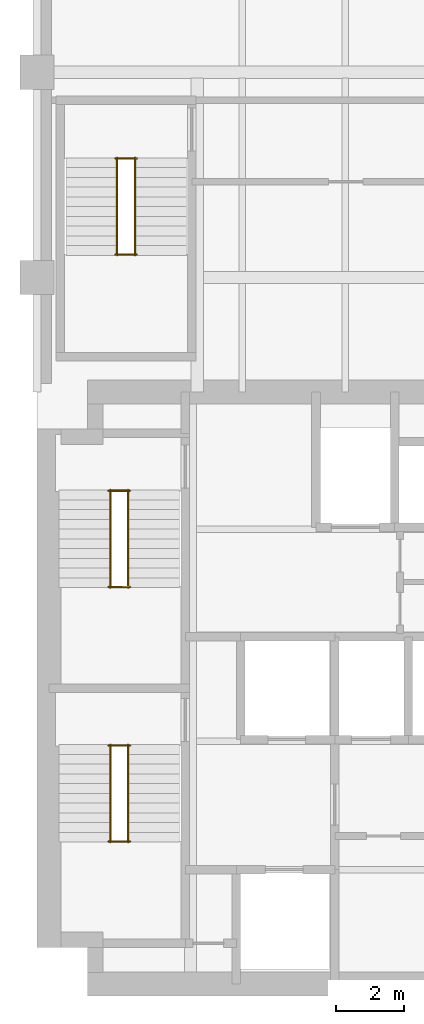
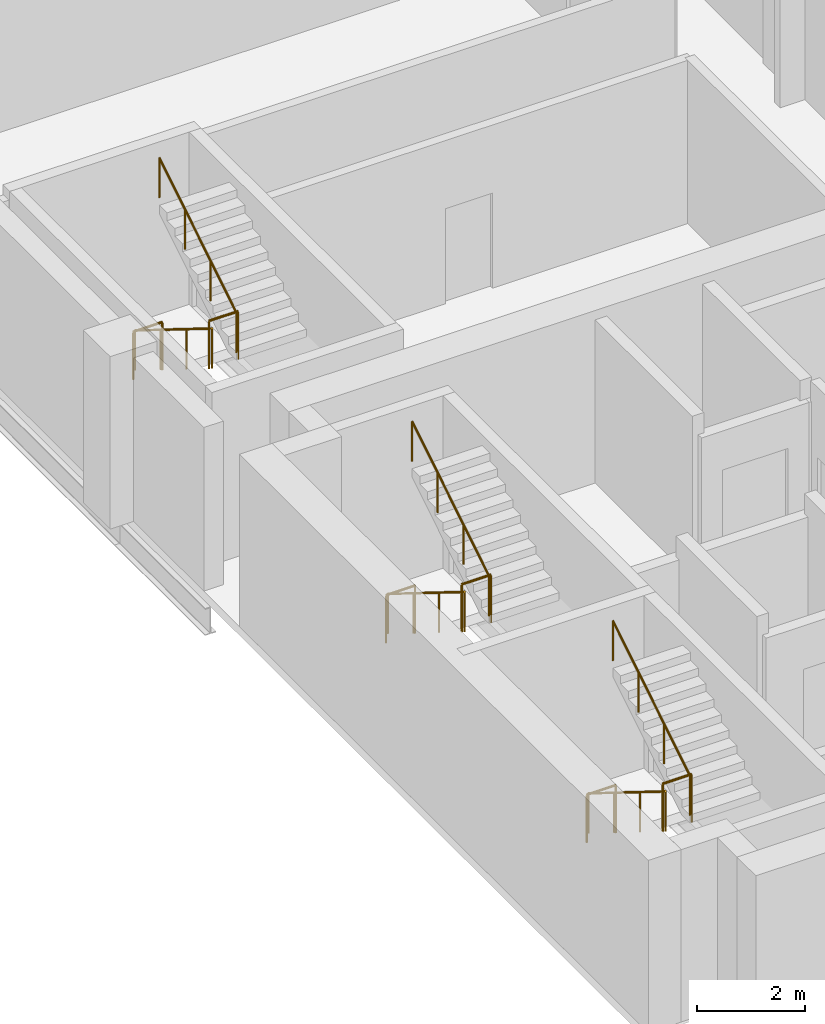
# One storey, part 7 of 7: 12 railings.
"""IFC4 building model written with IfcOpenShell, lengths in metres."""

import ifcopenshell
import ifcopenshell.guid

model = None  # the IFC model being written
_history = None  # IfcOwnerHistory: only IFC2X3 demands one
_inside = {}  # id of a spatial element -> (the spatial element, [elements in it])
_under = {}  # id of a project, library or spatial element -> (it, [spatial elements below it])
_declared = {}  # id of a project -> (the project, [libraries it declares])
_typed = {}  # id of a type object -> (the type object, [elements of that type])
_made_of = {}  # id of a material, layer set ... -> (it, [elements and type objects made of it])


def new_model(schema):
    """Start an empty IFC model of exactly this schema.

    Asked for "IFC4X3", IfcOpenShell would pick the latest addendum, in which some entities
    have other attributes; the version numbers below select the first issue.
    IFC2X3 requires an IfcOwnerHistory on every rooted entity: one is made here for all.
    """
    global model, _history
    if schema == "IFC4X3":
        model = ifcopenshell.file(schema_version=(4, 3, 0, 0))
    else:
        model = ifcopenshell.file(schema=schema)
    _inside.clear()
    _under.clear()
    _declared.clear()
    _typed.clear()
    _made_of.clear()
    _history = None
    if model.schema == "IFC2X3":
        org = make("IfcOrganization", Name="unknown")
        user = make(
            "IfcPersonAndOrganization",
            ThePerson=make("IfcPerson", FamilyName="unknown"),
            TheOrganization=org,
        )
        app = make(
            "IfcApplication",
            ApplicationDeveloper=org,
            Version="unknown",
            ApplicationFullName="unknown",
            ApplicationIdentifier="unknown",
        )
        _history = make(
            "IfcOwnerHistory",
            OwningUser=user,
            OwningApplication=app,
            ChangeAction="ADDED",
            CreationDate=0,
        )
    return model


def make(cls, **values):
    """One entity of the class cls with the attributes given. An attribute that is None is left unset."""
    return model.create_entity(
        cls, **{name: value for name, value in values.items() if value is not None}
    )


def rooted(cls, **values):
    """An entity with a GlobalId (a new one), such as an element, a storey or a relation."""
    return make(cls, GlobalId=ifcopenshell.guid.new(), OwnerHistory=_history, **values)


def si_unit(unit_type, name, prefix=None):
    """IfcSIUnit, for example si_unit("LENGTHUNIT", "METRE", prefix="MILLI")."""
    return make("IfcSIUnit", UnitType=unit_type, Prefix=prefix, Name=name)


def assignment(units):
    """IfcUnitAssignment: the units of a project."""
    return None if units is None else make("IfcUnitAssignment", Units=units)


def point(xyz):
    """IfcCartesianPoint."""
    return None if xyz is None else make("IfcCartesianPoint", Coordinates=xyz)


def direction(xyz):
    """IfcDirection."""
    return None if xyz is None else make("IfcDirection", DirectionRatios=xyz)


def frame(location, z_axis=None, x_axis=None):
    """IfcAxis2Placement3D, a coordinate frame: its origin and axes. An axis left out is left unset."""
    return make(
        "IfcAxis2Placement3D",
        Location=point(location),
        Axis=direction(z_axis),
        RefDirection=direction(x_axis),
    )


def frame_2d(location, x_axis=None):
    """IfcAxis2Placement2D, a coordinate frame in the plane: its origin and x axis."""
    return make(
        "IfcAxis2Placement2D", Location=point(location), RefDirection=direction(x_axis)
    )


def origin():
    """The frame at (0, 0, 0) with its axes left unset."""
    return frame((0.0, 0.0, 0.0))


def origin_2d():
    """The frame at (0, 0) in the plane with its x axis left unset."""
    return frame_2d((0.0, 0.0))


def place(relative_to, where):
    """IfcLocalPlacement: puts the frame where relative to a parent placement (None: the world)."""
    return make(
        "IfcLocalPlacement", PlacementRelTo=relative_to, RelativePlacement=where
    )


def context(
    kind, dimensions, precision=None, world=None, true_north=None, identifier=None
):
    """IfcGeometricRepresentationContext, for example the 3D "Model" context."""
    return make(
        "IfcGeometricRepresentationContext",
        ContextIdentifier=identifier,
        ContextType=kind,
        CoordinateSpaceDimension=dimensions,
        Precision=precision,
        WorldCoordinateSystem=world,
        TrueNorth=true_north,
    )


def subcontext(parent, identifier, kind, view, scale=None):
    """IfcGeometricRepresentationSubContext, for example "Body" below "Model"."""
    return make(
        "IfcGeometricRepresentationSubContext",
        ContextIdentifier=identifier,
        ContextType=kind,
        ParentContext=parent,
        TargetScale=scale,
        TargetView=view,
    )


def project(units=None, contexts=None):
    """IfcProject with its units and contexts."""
    return rooted(
        "IfcProject",
        Name="project",
        RepresentationContexts=contexts,
        UnitsInContext=assignment(units),
    )


def spatial(cls, under=None, at=None, **own):
    """A site, building, storey or space (cls), placed at a placement, below another one or the project."""
    s = rooted(cls, ObjectPlacement=at, **own)
    if under is not None:
        _under.setdefault(under.id(), (under, []))[1].append(s)
    return s


def profile(cls, at=None, kind="AREA", **sizes):
    """A parametric profile (cls). Its sizes go by their IFC names, for example OverallWidth=200.0."""
    return make(cls, ProfileType=kind, Position=at, **sizes)


def circle(**sizes):
    """IfcCircleProfileDef."""
    return profile("IfcCircleProfileDef", **sizes)


def extrude(swept, where, along, depth):
    """IfcExtrudedAreaSolid: the profile swept, set in the frame where, extruded along a direction by depth."""
    return make(
        "IfcExtrudedAreaSolid",
        SweptArea=swept,
        Position=where,
        ExtrudedDirection=direction(along),
        Depth=depth,
    )


def shape(context_of_items, identifier, shape_type, items):
    """IfcShapeRepresentation: the items that make up one representation, for example the "Body"."""
    return make(
        "IfcShapeRepresentation",
        ContextOfItems=context_of_items,
        RepresentationIdentifier=identifier,
        RepresentationType=shape_type,
        Items=items,
    )


def material(Name=None, Category=None):
    """IfcMaterial."""
    return make("IfcMaterial", Name=Name, Category=Category)


def made_of(thing, what):
    """Note that an element or type object is made of a material, layer set ...; save() writes the relation."""
    if what is not None:
        _made_of.setdefault(what.id(), (what, []))[1].append(thing)
    return thing


def type_object(cls, material=None, **own):
    """A type object (cls), such as IfcWallType, which elements share."""
    return made_of(rooted(cls, **own), material)


def element(
    cls,
    number,
    at=None,
    inside=None,
    cuts=None,
    type_object=None,
    material=None,
    context=None,
    identifier="Body",
    shape_type=None,
    held_by="IfcProductDefinitionShape",
    body=None,
    shapes=None,
    **own,
):
    """One element of the class cls, such as IfcWall. Its Tag is "e" and its number.

    at: its placement. inside: the storey or other place that contains it. cuts: it is an
    opening in that element (IfcRelVoidsElement). A single representation is given by context,
    identifier, shape_type and body (its items); several are given by shapes. held_by: the class
    of the entity that holds the representations. save() writes the other relations.
    """
    e = rooted(cls, Tag="e%d" % number, ObjectPlacement=at, **own)
    if body is not None:
        shapes = [shape(context, identifier, shape_type, body)]
    if shapes is not None:
        e.Representation = make(held_by, Representations=shapes)
    if inside is not None:
        _inside.setdefault(inside.id(), (inside, []))[1].append(e)
    if cuts is not None:
        rooted(
            "IfcRelVoidsElement", RelatingBuildingElement=cuts, RelatedOpeningElement=e
        )
    if type_object is not None:
        _typed.setdefault(type_object.id(), (type_object, []))[1].append(e)
    return made_of(e, material)


def aggregate(whole, parts):
    """IfcRelAggregates: a whole, such as a stair, and the parts it consists of."""
    return rooted("IfcRelAggregates", RelatingObject=whole, RelatedObjects=parts)


def save(model, path):
    """Write the relations noted so far, then the file.

    IfcRelAggregates (storeys below a building ...), IfcRelContainedInSpatialStructure (elements
    in a storey), IfcRelDefinesByType, IfcRelAssociatesMaterial and IfcRelDeclares: one each for
    every whole, place, type object, material and project.
    """
    for whole, parts in _under.values():
        aggregate(whole, parts)
    for where, things in _inside.values():
        rooted(
            "IfcRelContainedInSpatialStructure",
            RelatedElements=things,
            RelatingStructure=where,
        )
    for kind, things in _typed.values():
        rooted("IfcRelDefinesByType", RelatedObjects=things, RelatingType=kind)
    for what, things in _made_of.values():
        rooted("IfcRelAssociatesMaterial", RelatedObjects=things, RelatingMaterial=what)
    for by, libraries in _declared.values():
        rooted("IfcRelDeclares", RelatingContext=by, RelatedDefinitions=libraries)
    model.write(path)


model = new_model("IFC4")

# Units and contexts
model_context = context("Model", 3, precision=1e-05, world=origin(), true_north=direction((0.0, 1.0)))
body_context = subcontext(model_context, "Body", "Model", "MODEL_VIEW")
ifc_project = project(units=[si_unit("LENGTHUNIT", "METRE"), si_unit("AREAUNIT", "SQUARE_METRE"), si_unit("VOLUMEUNIT", "CUBIC_METRE"), si_unit("PLANEANGLEUNIT", "RADIAN"), si_unit("MASSUNIT", "GRAM", prefix="KILO")], contexts=[model_context])

# Site, building, storey
site_placement = place(None, origin())
site = spatial("IfcSite", under=ifc_project, at=site_placement, CompositionType="ELEMENT")
building_placement = place(site_placement, origin())
building = spatial("IfcBuilding", under=site, at=building_placement, Name="Mawjdan Bourse Tower", CompositionType="ELEMENT")
storey_placement = place(building_placement, frame((0.0, 0.0, 140.10009765625)))
storey = spatial("IfcBuildingStorey", under=building, at=storey_placement, Name="L33", CompositionType="ELEMENT", Elevation=140.10009765625)

# Railings
ifc_material_1 = material(Name="Structural Steel S355", Category="steel")
railing_type_1 = type_object("IfcRailingType", Name="RLG-GRD-1100", PredefinedType="GUARDRAIL", material=ifc_material_1)
for number, where, name in (
    (1, (8.090087890625, 7.52001953125, 1.949951171875), "L33 ST1 Landing Guardrail GL-MID"),
    (2, (8.090087890625, 10.330078125, 0.0), "L33 ST1 Landing Guardrail GL-BOT"),
    (3, (8.090087890625, 14.9599609375, 1.949951171875), "L33 ST2 Landing Guardrail GL-MID"),
    (4, (8.090087890625, 17.77001953125, 0.0), "L33 ST2 Landing Guardrail GL-BOT"),
    (5, (8.2900390625, 24.669921875, 1.949951171875), "L33 ST3 Landing Guardrail GL-MID"),
    (6, (8.2900390625, 27.47998046875, 0.0), "L33 ST3 Landing Guardrail GL-BOT"),
):
    element("IfcRailing", number, at=place(storey_placement, frame(where)), inside=storey, type_object=railing_type_1, Name=name, PredefinedType="GUARDRAIL", context=body_context, shape_type="SweptSolid", body=[
        extrude(circle(Radius=0.02490234375, at=origin_2d()), frame((0.0, 0.0, 1.0751953125), z_axis=(1.0, 0.0, 0.0), x_axis=(0.0, 1.0, 0.0)), (0.0, 0.0, 1.0), 0.619873046875),
        extrude(circle(Radius=0.02099609375, at=origin_2d()), origin(), (0.0, 0.0, 1.0), 1.050048828125),
        extrude(circle(Radius=0.02099609375, at=origin_2d()), frame((0.619873046875, 0.0, 0.0)), (0.0, 0.0, 1.0), 1.050048828125),
    ])
ifc_material_2 = material(Name="Brushed Stainless Steel", Category="steel")
railing_type_2 = type_object("IfcRailingType", Name="RLG-HND-920", PredefinedType="HANDRAIL", material=ifc_material_2)
railing_1_placement = place(storey_placement, frame((8.139892578125, 10.35009765625, 0.17724609375)))
element("IfcRailing", 7, at=railing_1_placement, inside=storey, type_object=railing_type_2, Name="L33 ST1 Flight Handrail HR1", PredefinedType="HANDRAIL", context=body_context, shape_type="SweptSolid", body=[
    extrude(circle(Radius=0.0224609375, at=origin_2d()), frame((0.0, 0.0, 0.8974609375), z_axis=(0.0, -0.849148672731, 0.528153890072), x_axis=(1.0, 0.0, 0.0)), (0.0, 0.0, 1.0), 3.3564453125),
    extrude(circle(Radius=0.01904296875, at=origin_2d()), origin(), (0.0, 0.0, 1.0), 0.875),
    extrude(circle(Radius=0.01904296875, at=origin_2d()), frame((0.0, -0.949951171875, 0.5908203125)), (0.0, 0.0, 1.0), 0.875),
    extrude(circle(Radius=0.01904296875, at=origin_2d()), frame((0.0, -1.900146484375, 1.181884765625)), (0.0, 0.0, 1.0), 0.875),
    extrude(circle(Radius=0.01904296875, at=origin_2d()), frame((0.0, -2.85009765625, 1.772705078125)), (0.0, 0.0, 1.0), 0.875),
])
railing_2_placement = place(storey_placement, frame((8.659912109375, 7.5, 2.127197265625)))
element("IfcRailing", 8, at=railing_2_placement, inside=storey, type_object=railing_type_2, Name="L33 ST1 Flight Handrail HR2", PredefinedType="HANDRAIL", context=body_context, shape_type="SweptSolid", body=[
    extrude(circle(Radius=0.0224609375, at=origin_2d()), frame((0.0, 0.0, 0.8974609375), z_axis=(0.0, 0.849148672731, 0.528153890072), x_axis=(-1.0, 0.0, 0.0)), (0.0, 0.0, 1.0), 3.3564453125),
    extrude(circle(Radius=0.01904296875, at=origin_2d()), origin(), (0.0, 0.0, 1.0), 0.875),
    extrude(circle(Radius=0.01904296875, at=origin_2d()), frame((0.0, 0.949951171875, 0.5908203125)), (0.0, 0.0, 1.0), 0.875),
    extrude(circle(Radius=0.01904296875, at=origin_2d()), frame((0.0, 1.900146484375, 1.181884765625)), (0.0, 0.0, 1.0), 0.875),
    extrude(circle(Radius=0.01904296875, at=origin_2d()), frame((0.0, 2.85009765625, 1.772705078125)), (0.0, 0.0, 1.0), 0.875),
])
railing_3_placement = place(storey_placement, frame((8.139892578125, 17.7900390625, 0.17724609375)))
element("IfcRailing", 9, at=railing_3_placement, inside=storey, type_object=railing_type_2, Name="L33 ST2 Flight Handrail HR1", PredefinedType="HANDRAIL", context=body_context, shape_type="SweptSolid", body=[
    extrude(circle(Radius=0.0224609375, at=origin_2d()), frame((0.0, 0.0, 0.8974609375), z_axis=(0.0, -0.849148672731, 0.528153890072), x_axis=(1.0, 0.0, 0.0)), (0.0, 0.0, 1.0), 3.3564453125),
    extrude(circle(Radius=0.01904296875, at=origin_2d()), origin(), (0.0, 0.0, 1.0), 0.875),
    extrude(circle(Radius=0.01904296875, at=origin_2d()), frame((0.0, -0.949951171875, 0.5908203125)), (0.0, 0.0, 1.0), 0.875),
    extrude(circle(Radius=0.01904296875, at=origin_2d()), frame((0.0, -1.900146484375, 1.181884765625)), (0.0, 0.0, 1.0), 0.875),
    extrude(circle(Radius=0.01904296875, at=origin_2d()), frame((0.0, -2.85009765625, 1.772705078125)), (0.0, 0.0, 1.0), 0.875),
])
railing_4_placement = place(storey_placement, frame((8.659912109375, 14.93994140625, 2.127197265625)))
element("IfcRailing", 10, at=railing_4_placement, inside=storey, type_object=railing_type_2, Name="L33 ST2 Flight Handrail HR2", PredefinedType="HANDRAIL", context=body_context, shape_type="SweptSolid", body=[
    extrude(circle(Radius=0.0224609375, at=origin_2d()), frame((0.0, 0.0, 0.8974609375), z_axis=(0.0, 0.849148672731, 0.528153890072), x_axis=(-1.0, 0.0, 0.0)), (0.0, 0.0, 1.0), 3.3564453125),
    extrude(circle(Radius=0.01904296875, at=origin_2d()), origin(), (0.0, 0.0, 1.0), 0.875),
    extrude(circle(Radius=0.01904296875, at=origin_2d()), frame((0.0, 0.949951171875, 0.5908203125)), (0.0, 0.0, 1.0), 0.875),
    extrude(circle(Radius=0.01904296875, at=origin_2d()), frame((0.0, 1.900146484375, 1.181884765625)), (0.0, 0.0, 1.0), 0.875),
    extrude(circle(Radius=0.01904296875, at=origin_2d()), frame((0.0, 2.85009765625, 1.772705078125)), (0.0, 0.0, 1.0), 0.875),
])
railing_5_placement = place(storey_placement, frame((8.340087890625, 27.5, 0.17724609375)))
element("IfcRailing", 11, at=railing_5_placement, inside=storey, type_object=railing_type_2, Name="L33 ST3 Flight Handrail HR1", PredefinedType="HANDRAIL", context=body_context, shape_type="SweptSolid", body=[
    extrude(circle(Radius=0.0224609375, at=origin_2d()), frame((0.0, 0.0, 0.8974609375), z_axis=(0.0, -0.849148672731, 0.528153890072), x_axis=(1.0, 0.0, 0.0)), (0.0, 0.0, 1.0), 3.3564453125),
    extrude(circle(Radius=0.01904296875, at=origin_2d()), origin(), (0.0, 0.0, 1.0), 0.875),
    extrude(circle(Radius=0.01904296875, at=origin_2d()), frame((0.0, -0.949951171875, 0.5908203125)), (0.0, 0.0, 1.0), 0.875),
    extrude(circle(Radius=0.01904296875, at=origin_2d()), frame((0.0, -1.900146484375, 1.181884765625)), (0.0, 0.0, 1.0), 0.875),
    extrude(circle(Radius=0.01904296875, at=origin_2d()), frame((0.0, -2.85009765625, 1.772705078125)), (0.0, 0.0, 1.0), 0.875),
])
railing_6_placement = place(storey_placement, frame((8.860107421875, 24.64990234375, 2.127197265625)))
element("IfcRailing", 12, at=railing_6_placement, inside=storey, type_object=railing_type_2, Name="L33 ST3 Flight Handrail HR2", PredefinedType="HANDRAIL", context=body_context, shape_type="SweptSolid", body=[
    extrude(circle(Radius=0.0224609375, at=origin_2d()), frame((0.0, 0.0, 0.8974609375), z_axis=(0.0, 0.849148672731, 0.528153890072), x_axis=(-1.0, 0.0, 0.0)), (0.0, 0.0, 1.0), 3.3564453125),
    extrude(circle(Radius=0.01904296875, at=origin_2d()), origin(), (0.0, 0.0, 1.0), 0.875),
    extrude(circle(Radius=0.01904296875, at=origin_2d()), frame((0.0, 0.949951171875, 0.5908203125)), (0.0, 0.0, 1.0), 0.875),
    extrude(circle(Radius=0.01904296875, at=origin_2d()), frame((0.0, 1.900146484375, 1.181884765625)), (0.0, 0.0, 1.0), 0.875),
    extrude(circle(Radius=0.01904296875, at=origin_2d()), frame((0.0, 2.85009765625, 1.772705078125)), (0.0, 0.0, 1.0), 0.875),
])

save(model, "model.ifc")
